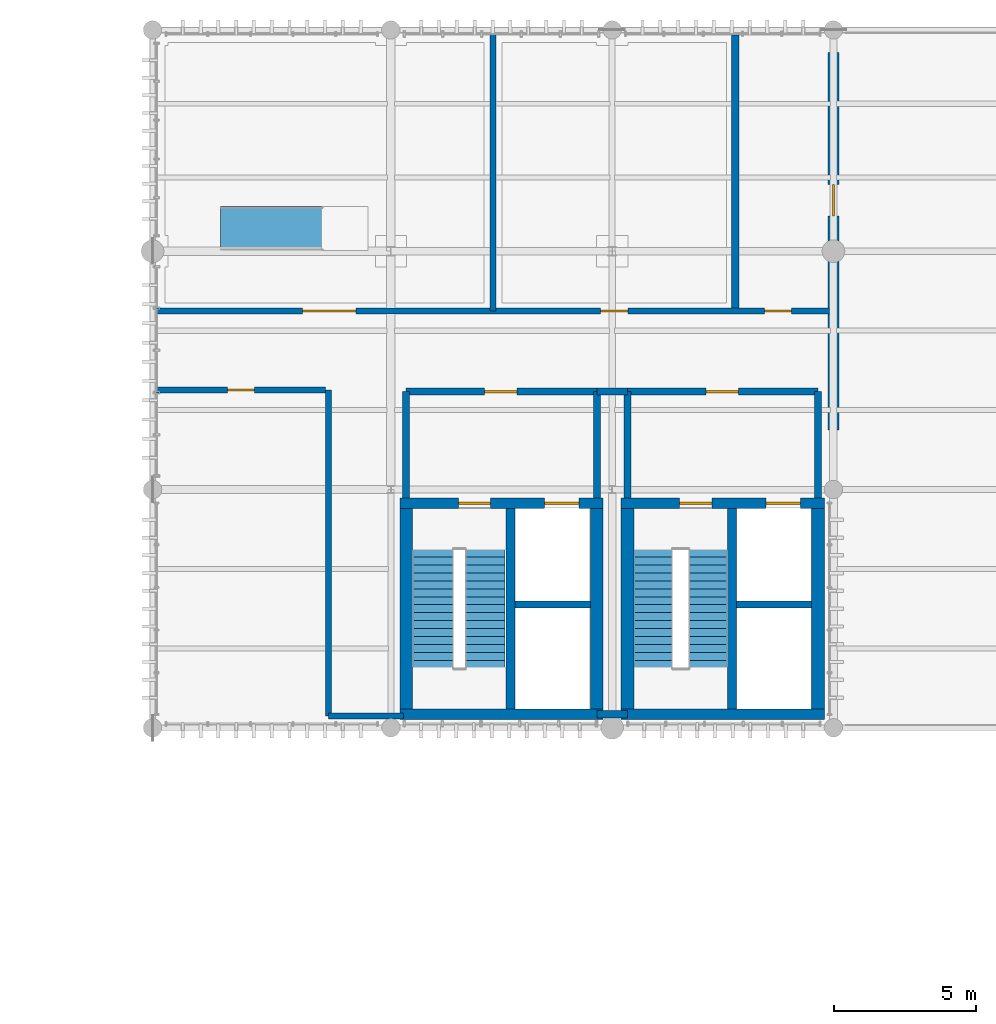
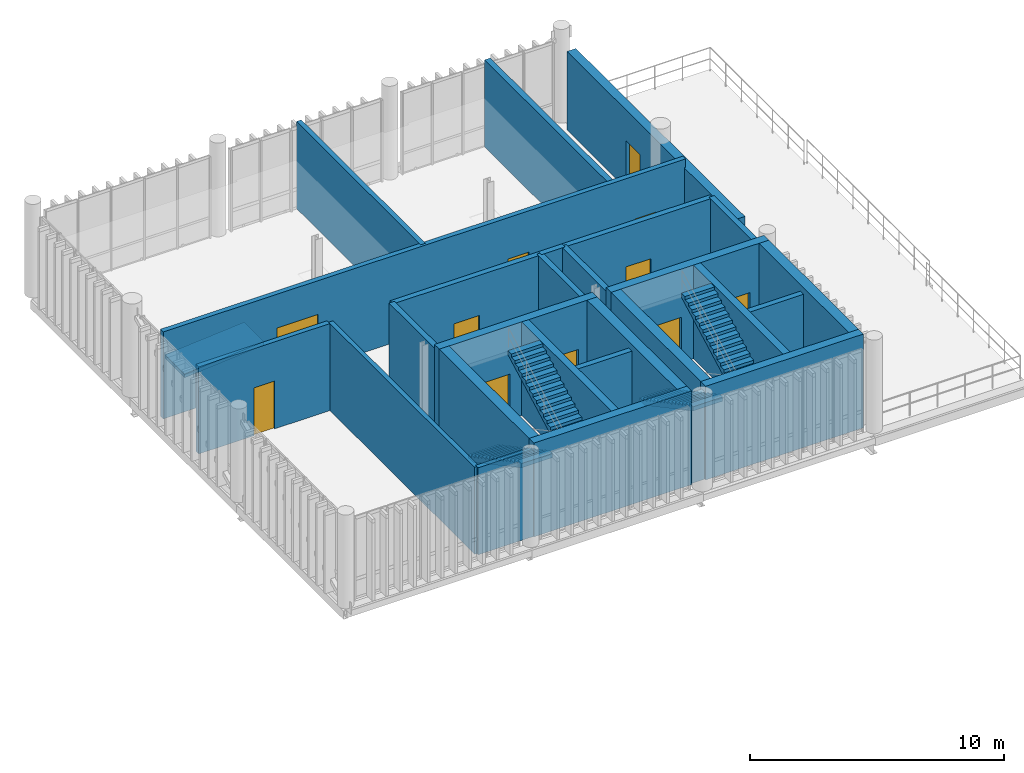
# One storey, part 15 of 19: 27 walls, 11 doors, 4 stair flights, 1 ramp flight, 11 openings, 3 elements without a shape of their own.
"""IFC4 building model written with IfcOpenShell, lengths in metres."""

from ifc_helpers import new_model, si_unit, direction, frame, frame_2d, origin_with_axes, place, context, subcontext, project, spatial, polyline, rectangle, outline, extrude, material, layer, layer_set, type_object, element, fill, aggregate, save


model = new_model("IFC4")

# Units and contexts
model_context = context("Model", 3, precision=1e-05, world=origin_with_axes(), true_north=direction((0.0, 1.0)))
body_context = subcontext(model_context, "Body", "Model", "MODEL_VIEW")
ifc_project = project(units=[si_unit("LENGTHUNIT", "METRE"), si_unit("AREAUNIT", "SQUARE_METRE"), si_unit("VOLUMEUNIT", "CUBIC_METRE"), si_unit("PLANEANGLEUNIT", "RADIAN"), si_unit("MASSUNIT", "GRAM", prefix="KILO"), si_unit("THERMODYNAMICTEMPERATUREUNIT", "KELVIN")], contexts=[model_context])

# Site, building, storey
site_placement = place(None, origin_with_axes())
site = spatial("IfcSite", under=ifc_project, at=site_placement, CompositionType="ELEMENT")
building_placement = place(site_placement, origin_with_axes())
building = spatial("IfcBuilding", under=site, at=building_placement, Name="Montbau Bow Law Courts", CompositionType="ELEMENT")
storey_placement = place(building_placement, frame((0.0, 0.0, 43.5), z_axis=(0.0, 0.0, 1.0), x_axis=(1.0, 0.0, 0.0)))
storey = spatial("IfcBuildingStorey", under=building, at=storey_placement, Name="L09", CompositionType="ELEMENT", Elevation=43.5)

# Walls
ifc_material_1 = material(Name="Concrete CSA A23.1 f'c 45 MPa", Category="concrete")
ifc_layer_1 = layer(ifc_material_1, 0.45, Name="Shear Wall", Category="concrete")
ifc_layer_set_1 = layer_set([ifc_layer_1], Name="Concrete CSA A23.1 f'c 45 MPa")
wall_type_1 = type_object("IfcWallType", Name="W-COR-02", PredefinedType="SHEAR", material=ifc_layer_set_1)
for number, where, z_axis, x_axis, name in (
    (1, (154.26, 87.07, 43.5), (0.0, 0.0, 1.0), (0.0, 1.0, 0.0), "WC-L09-0365:wal_0432"),
    (2, (147.54, 94.13, 43.5), (0.0, 0.0, 1.0), (0.0, -1.0, 0.0), "WC-L09-0366:wal_0433"),
    (3, (162.06, 87.07, 43.5), (0.0, 0.0, 1.0), (0.0, 1.0, 0.0), "WC-L09-0468:wal_0535"),
    (4, (155.34, 94.13, 43.5), (0.0, 0.0, 1.0), (0.0, -1.0, 0.0), "WC-L09-0469:wal_0536"),
):
    element("IfcWall", number, at=place(None, frame(where, z_axis=z_axis, x_axis=x_axis)), inside=storey, type_object=wall_type_1, Name=name, PredefinedType="SHEAR", context=body_context, shape_type="SweptSolid", body=[
        extrude(rectangle(XDim=7.060000000000002, YDim=0.45, at=frame_2d((3.53, 0.0), x_axis=(1.0, 0.0))), origin_with_axes(), (0.0, 0.0, 1.0), 4.5),
    ])
ifc_layer_2 = layer(ifc_material_1, 0.38, Name="Shear Wall", Category="concrete")
ifc_layer_set_2 = layer_set([ifc_layer_2], Name="Concrete CSA A23.1 f'c 45 MPa")
wall_type_2 = type_object("IfcWallType", Name="W-COR-04", PredefinedType="SHEAR", material=ifc_layer_set_2)
wall_1_placement = place(None, frame((147.315, 86.88, 43.5), z_axis=(0.0, 0.0, 1.0), x_axis=(1.0, 0.0, 0.0)))
element("IfcWall", 5, at=wall_1_placement, inside=storey, type_object=wall_type_2, Name="WC-L09-0363:wal_0430", PredefinedType="SHEAR", context=body_context, shape_type="SweptSolid", body=[
    extrude(rectangle(XDim=7.170000000000016, YDim=0.38, at=frame_2d((3.585, 0.0), x_axis=(1.0, 0.0))), origin_with_axes(), (0.0, 0.0, 1.0), 4.5),
])

# Wall, openings, doors
wall_2_placement = place(None, frame((154.485, 94.32, 43.5), z_axis=(0.0, 0.0, 1.0), x_axis=(-1.0, 0.0, 0.0)))
wall_2 = element("IfcWall", 6, at=wall_2_placement, inside=storey, type_object=wall_type_2, Name="WC-L09-0364:wal_0431", PredefinedType="SHEAR", context=body_context, shape_type="SweptSolid", body=[
    extrude(rectangle(XDim=7.170000000000016, YDim=0.38, at=frame_2d((3.585, 0.0), x_axis=(1.0, 0.0))), origin_with_axes(), (0.0, 0.0, 1.0), 4.5),
])
opening_1_placement = place(None, frame((149.95, 94.32, 43.5), z_axis=(0.0, 0.0, 1.0), x_axis=(-1.0, 0.0, 0.0)))
opening_1 = element("IfcOpeningElement", 7, at=opening_1_placement, cuts=wall_2, Name="OP-D-L09-ST-P2", PredefinedType="OPENING", context=body_context, shape_type="SweptSolid", body=[
    extrude(rectangle(XDim=1.14, YDim=2.18, at=frame_2d((0.0, 1.09), x_axis=(1.0, 0.0))), frame((0.0, 0.2, 0.0), z_axis=(0.0, -1.0, 0.0), x_axis=(1.0, 0.0, 0.0)), (0.0, 0.0, 1.0), 0.4),
])
opening_2_placement = place(None, frame((153.025, 94.32, 43.5), z_axis=(0.0, 0.0, 1.0), x_axis=(-1.0, 0.0, 0.0)))
opening_2 = element("IfcOpeningElement", 8, at=opening_2_placement, cuts=wall_2, Name="OP-LD-L09-EL-FF1", PredefinedType="OPENING", context=body_context, shape_type="SweptSolid", body=[
    extrude(rectangle(XDim=1.22, YDim=2.28, at=frame_2d((0.0, 1.14), x_axis=(1.0, 0.0))), frame((0.0, 0.2, 0.0), z_axis=(0.0, -1.0, 0.0), x_axis=(1.0, 0.0, 0.0)), (0.0, 0.0, 1.0), 0.4),
])
ifc_material_2 = material(Name="1.5 h Fire-Rated Hollow-Metal Exit Stair Door", Category="steel")
door_type_1 = type_object("IfcDoorType", Name="D-ST-01", OperationType="NOTDEFINED", ParameterTakesPrecedence=False, PredefinedType="DOOR", material=ifc_material_2)
door_1_placement = place(None, frame((149.95, 94.32, 43.5), z_axis=(0.0, 0.0, 1.0), x_axis=(1.0, 0.0, 0.0)))
door_1 = element("IfcDoor", 9, at=door_1_placement, inside=storey, type_object=door_type_1, Name="D-L09-ST-P2:dor_0174", OperationType="SINGLE_SWING_LEFT", OverallHeight=2.18, OverallWidth=1.14, PredefinedType="DOOR", context=body_context, shape_type="SweptSolid", body=[
    extrude(rectangle(XDim=1.14, YDim=2.18, at=frame_2d((0.0, 1.09), x_axis=(1.0, 0.0))), frame((0.0, 0.04, 0.0), z_axis=(0.0, -1.0, 0.0), x_axis=(1.0, 0.0, 0.0)), (0.0, 0.0, 1.0), 0.08),
])
fill(opening_1, door_1)
ifc_material_3 = material(Name="CSA B44 Firefighters Elevator Landing Door", Category="steel")
door_type_2 = type_object("IfcDoorType", Name="LD-FFE-01", OperationType="NOTDEFINED", ParameterTakesPrecedence=False, PredefinedType="DOOR", material=ifc_material_3)
door_2_placement = place(None, frame((153.025, 94.32, 43.5), z_axis=(0.0, 0.0, 1.0), x_axis=(1.0, 0.0, 0.0)))
door_2 = element("IfcDoor", 10, at=door_2_placement, inside=storey, type_object=door_type_2, Name="LD-L09-EL-FF1:dor_0175", OperationType="SLIDING_TO_LEFT", OverallHeight=2.28, OverallWidth=1.22, PredefinedType="DOOR", context=body_context, shape_type="SweptSolid", body=[
    extrude(rectangle(XDim=1.22, YDim=2.28, at=frame_2d((0.0, 1.14), x_axis=(1.0, 0.0))), frame((0.0, 0.04, 0.0), z_axis=(0.0, -1.0, 0.0), x_axis=(1.0, 0.0, 0.0)), (0.0, 0.0, 1.0), 0.08),
])
fill(opening_2, door_2)

# Wall
wall_3_placement = place(None, frame((155.115, 86.88, 43.5), z_axis=(0.0, 0.0, 1.0), x_axis=(1.0, 0.0, 0.0)))
element("IfcWall", 11, at=wall_3_placement, inside=storey, type_object=wall_type_2, Name="WC-L09-0466:wal_0533", PredefinedType="SHEAR", context=body_context, shape_type="SweptSolid", body=[
    extrude(rectangle(XDim=7.1699999999999875, YDim=0.38, at=frame_2d((3.585, 0.0), x_axis=(1.0, 0.0))), origin_with_axes(), (0.0, 0.0, 1.0), 4.5),
])

# Wall, openings, doors
wall_4_placement = place(None, frame((162.285, 94.32, 43.5), z_axis=(0.0, 0.0, 1.0), x_axis=(-1.0, 0.0, 0.0)))
wall_4 = element("IfcWall", 12, at=wall_4_placement, inside=storey, type_object=wall_type_2, Name="WC-L09-0467:wal_0534", PredefinedType="SHEAR", context=body_context, shape_type="SweptSolid", body=[
    extrude(rectangle(XDim=7.1699999999999875, YDim=0.38, at=frame_2d((3.585, 0.0), x_axis=(1.0, 0.0))), origin_with_axes(), (0.0, 0.0, 1.0), 4.5),
])
opening_3_placement = place(None, frame((157.75, 94.32, 43.5), z_axis=(0.0, 0.0, 1.0), x_axis=(-1.0, 0.0, 0.0)))
opening_3 = element("IfcOpeningElement", 13, at=opening_3_placement, cuts=wall_4, Name="OP-D-L09-ST-J2", PredefinedType="OPENING", context=body_context, shape_type="SweptSolid", body=[
    extrude(rectangle(XDim=1.14, YDim=2.18, at=frame_2d((0.0, 1.09), x_axis=(1.0, 0.0))), frame((0.0, 0.2, 0.0), z_axis=(0.0, -1.0, 0.0), x_axis=(1.0, 0.0, 0.0)), (0.0, 0.0, 1.0), 0.4),
])
opening_4_placement = place(None, frame((160.825, 94.32, 43.5), z_axis=(0.0, 0.0, 1.0), x_axis=(-1.0, 0.0, 0.0)))
opening_4 = element("IfcOpeningElement", 14, at=opening_4_placement, cuts=wall_4, Name="OP-LD-L09-EL-FF2", PredefinedType="OPENING", context=body_context, shape_type="SweptSolid", body=[
    extrude(rectangle(XDim=1.22, YDim=2.28, at=frame_2d((0.0, 1.14), x_axis=(1.0, 0.0))), frame((0.0, 0.2, 0.0), z_axis=(0.0, -1.0, 0.0), x_axis=(1.0, 0.0, 0.0)), (0.0, 0.0, 1.0), 0.4),
])
door_3_placement = place(None, frame((157.75, 94.32, 43.5), z_axis=(0.0, 0.0, 1.0), x_axis=(1.0, 0.0, 0.0)))
door_3 = element("IfcDoor", 15, at=door_3_placement, inside=storey, type_object=door_type_1, Name="D-L09-ST-J2:dor_0212", OperationType="SINGLE_SWING_RIGHT", OverallHeight=2.18, OverallWidth=1.14, PredefinedType="DOOR", context=body_context, shape_type="SweptSolid", body=[
    extrude(rectangle(XDim=1.14, YDim=2.18, at=frame_2d((0.0, 1.09), x_axis=(1.0, 0.0))), frame((0.0, 0.04, 0.0), z_axis=(0.0, -1.0, 0.0), x_axis=(1.0, 0.0, 0.0)), (0.0, 0.0, 1.0), 0.08),
])
fill(opening_3, door_3)
door_4_placement = place(None, frame((160.825, 94.32, 43.5), z_axis=(0.0, 0.0, 1.0), x_axis=(1.0, 0.0, 0.0)))
door_4 = element("IfcDoor", 16, at=door_4_placement, inside=storey, type_object=door_type_2, Name="LD-L09-EL-FF2:dor_0213", OperationType="SLIDING_TO_LEFT", OverallHeight=2.28, OverallWidth=1.22, PredefinedType="DOOR", context=body_context, shape_type="SweptSolid", body=[
    extrude(rectangle(XDim=1.22, YDim=2.28, at=frame_2d((0.0, 1.14), x_axis=(1.0, 0.0))), frame((0.0, 0.04, 0.0), z_axis=(0.0, -1.0, 0.0), x_axis=(1.0, 0.0, 0.0)), (0.0, 0.0, 1.0), 0.08),
])
fill(opening_4, door_4)

# Walls
ifc_layer_3 = layer(ifc_material_1, 0.32, Name="Shear Wall", Category="concrete")
ifc_layer_set_3 = layer_set([ifc_layer_3], Name="Concrete CSA A23.1 f'c 45 MPa")
wall_type_3 = type_object("IfcWallType", Name="W-COR-05", PredefinedType="SHEAR", material=ifc_layer_set_3)
for number, where, z_axis, x_axis, name in (
    (17, (151.22, 87.07, 43.5), (0.0, 0.0, 1.0), (0.0, 1.0, 0.0), "WS-L09-0367:wal_0434"),
    (18, (159.02, 87.07, 43.5), (0.0, 0.0, 1.0), (0.0, 1.0, 0.0), "WS-L09-0470:wal_0537"),
):
    element("IfcWall", number, at=place(None, frame(where, z_axis=z_axis, x_axis=x_axis)), inside=storey, type_object=wall_type_3, Name=name, PredefinedType="SHEAR", context=body_context, shape_type="SweptSolid", body=[
        extrude(rectangle(XDim=7.060000000000002, YDim=0.32, at=frame_2d((3.53, 0.0), x_axis=(1.0, 0.0))), origin_with_axes(), (0.0, 0.0, 1.0), 4.5),
    ])

# Wall, opening, door
ifc_material_4 = material(Name="Polychrome Glazed Ceramic Rainscreen Insulated Wall", Category="masonry")
ifc_layer_4 = layer(ifc_material_4, 0.4, Name="Solid Wall", Category="masonry")
ifc_layer_set_4 = layer_set([ifc_layer_4], Name="Polychrome Glazed Ceramic Rainscreen Insulated Wall")
wall_type_4 = type_object("IfcWallType", Name="W-EXT-04", PredefinedType="SOLIDWALL", material=ifc_layer_set_4)
wall_5_placement = place(None, frame((162.6, 96.9, 43.5), z_axis=(0.0, 0.0, 1.0), x_axis=(0.0, 1.0, 0.0)))
wall_5 = element("IfcWall", 19, at=wall_5_placement, inside=storey, type_object=wall_type_4, Name="WE-L09-039:wal_0056", PredefinedType="SOLIDWALL", context=body_context, shape_type="SweptSolid", body=[
    extrude(rectangle(XDim=13.299999999999997, YDim=0.4, at=frame_2d((6.65, 0.0), x_axis=(1.0, 0.0))), origin_with_axes(), (0.0, 0.0, 1.0), 3.774),
])
opening_5_placement = place(None, frame((162.6, 105.0, 43.5), z_axis=(0.0, 0.0, 1.0), x_axis=(0.0, 1.0, 0.0)))
opening_5 = element("IfcOpeningElement", 20, at=opening_5_placement, cuts=wall_5, Name="OP-D-TER-08", PredefinedType="OPENING", context=body_context, shape_type="SweptSolid", body=[
    extrude(rectangle(XDim=1.1, YDim=2.3, at=frame_2d((0.0, 1.15), x_axis=(1.0, 0.0))), frame((0.0, 0.21, 0.0), z_axis=(0.0, -1.0, 0.0), x_axis=(1.0, 0.0, 0.0)), (0.0, 0.0, 1.0), 0.42),
])
ifc_material_5 = material(Name="Thermally Broken Glazed Terrace Access Door", Category="aluminium")
door_type_3 = type_object("IfcDoorType", Name="D-EXT-06", OperationType="NOTDEFINED", ParameterTakesPrecedence=False, PredefinedType="DOOR", material=ifc_material_5)
door_5_placement = place(None, frame((162.6, 105.0, 43.5), z_axis=(0.0, 0.0, 1.0), x_axis=(0.0, 1.0, 0.0)))
door_5 = element("IfcDoor", 21, at=door_5_placement, inside=storey, type_object=door_type_3, Name="D-TER-08:dor_0031", OperationType="SINGLE_SWING_LEFT", OverallHeight=2.3, OverallWidth=1.1, PredefinedType="DOOR", context=body_context, shape_type="SweptSolid", body=[
    extrude(rectangle(XDim=1.1, YDim=2.3, at=frame_2d((0.0, 1.15), x_axis=(1.0, 0.0))), frame((0.0, 0.04, 0.0), z_axis=(0.0, -1.0, 0.0), x_axis=(1.0, 0.0, 0.0)), (0.0, 0.0, 1.0), 0.08),
])
fill(opening_5, door_5)

# Walls
ifc_material_6 = material(Name="Double-Stud Acoustic Plumbing Chase Gypsum Assembly", Category="gypsum")
ifc_layer_5 = layer(ifc_material_6, 0.26, Name="Plumbing Wall", Category="gypsum")
ifc_layer_set_5 = layer_set([ifc_layer_5], Name="Double-Stud Acoustic Plumbing Chase Gypsum Assembly")
wall_type_5 = type_object("IfcWallType", Name="W-PLM-01", PredefinedType="PLUMBINGWALL", material=ifc_layer_set_5)
wall_6_placement = place(None, frame((159.14, 101.19, 43.5), z_axis=(0.0, 0.0, 1.0), x_axis=(0.0, 1.0, 0.0)))
element("IfcWall", 22, at=wall_6_placement, inside=storey, type_object=wall_type_5, Name="WD-L09-0945:wal_1012", PredefinedType="PLUMBINGWALL", context=body_context, shape_type="SweptSolid", body=[
    extrude(rectangle(XDim=9.629999999999995, YDim=0.26, at=frame_2d((4.815, 0.0), x_axis=(1.0, 0.0))), origin_with_axes(), (0.0, 0.0, 1.0), 4.18),
])
ifc_material_7 = material(Name="2 h Shaft and Exit-Passage Fire Separation Partition", Category="gypsum")
ifc_layer_6 = layer(ifc_material_7, 0.25, Name="Partition", Category="gypsum")
ifc_layer_set_6 = layer_set([ifc_layer_6], Name="2 h Shaft and Exit-Passage Fire Separation Partition")
wall_type_6 = type_object("IfcWallType", Name="W-PRT-01", PredefinedType="PARTITIONING", material=ifc_layer_set_6)
wall_7_placement = place(None, frame((151.38, 90.749, 43.5), z_axis=(0.0, 0.0, 1.0), x_axis=(1.0, 0.0, 0.0)))
element("IfcWall", 23, at=wall_7_placement, inside=storey, type_object=wall_type_6, Name="WS-L09-0368:wal_0435", PredefinedType="PARTITIONING", context=body_context, shape_type="SweptSolid", body=[
    extrude(rectangle(XDim=2.655000000000001, YDim=0.25, at=frame_2d((1.3275, 0.0), x_axis=(1.0, 0.0))), origin_with_axes(), (0.0, 0.0, 1.0), 4.18),
])

# Wall, opening, door
wall_8_placement = place(None, frame((154.26, 98.25, 43.5), z_axis=(0.0, 0.0, 1.0), x_axis=(-1.0, 0.0, 0.0)))
wall_8 = element("IfcWall", 24, at=wall_8_placement, inside=storey, type_object=wall_type_6, Name="WFF-L09-0369:wal_0436", PredefinedType="PARTITIONING", context=body_context, shape_type="SweptSolid", body=[
    extrude(rectangle(XDim=6.719999999999999, YDim=0.25, at=frame_2d((3.36, 0.0), x_axis=(1.0, 0.0))), origin_with_axes(), (0.0, 0.0, 1.0), 4.18),
])
opening_6_placement = place(None, frame((150.875, 98.25, 43.5), z_axis=(0.0, 0.0, 1.0), x_axis=(-1.0, 0.0, 0.0)))
opening_6 = element("IfcOpeningElement", 25, at=opening_6_placement, cuts=wall_8, Name="OP-D-L09-FFL5", PredefinedType="OPENING", context=body_context, shape_type="SweptSolid", body=[
    extrude(rectangle(XDim=1.15, YDim=2.25, at=frame_2d((0.0, 1.125), x_axis=(1.0, 0.0))), frame((0.0, 0.135, 0.0), z_axis=(0.0, -1.0, 0.0), x_axis=(1.0, 0.0, 0.0)), (0.0, 0.0, 1.0), 0.27),
])
ifc_material_8 = material(Name="1.5 h Smoke-Sealed Firefighters Lobby Door", Category="steel")
door_type_4 = type_object("IfcDoorType", Name="D-FFL-01", OperationType="NOTDEFINED", ParameterTakesPrecedence=False, PredefinedType="DOOR", material=ifc_material_8)
door_6_placement = place(None, frame((150.875, 98.25, 43.5), z_axis=(0.0, 0.0, 1.0), x_axis=(1.0, 0.0, 0.0)))
door_6 = element("IfcDoor", 26, at=door_6_placement, inside=storey, type_object=door_type_4, Name="D-L09-FFL5:dor_0176", OperationType="SINGLE_SWING_RIGHT", OverallHeight=2.25, OverallWidth=1.15, PredefinedType="DOOR", context=body_context, shape_type="SweptSolid", body=[
    extrude(rectangle(XDim=1.15, YDim=2.25, at=frame_2d((0.0, 1.125), x_axis=(1.0, 0.0))), frame((0.0, 0.04, 0.0), z_axis=(0.0, -1.0, 0.0), x_axis=(1.0, 0.0, 0.0)), (0.0, 0.0, 1.0), 0.08),
])
fill(opening_6, door_6)

# Walls
for number, where, z_axis, x_axis, name in (
    (27, (147.54, 94.5, 43.5), (0.0, 0.0, 1.0), (0.0, 1.0, 0.0), "WFF-L09-0370:wal_0437"),
    (28, (154.26, 94.5, 43.5), (0.0, 0.0, 1.0), (0.0, 1.0, 0.0), "WFF-L09-0371:wal_0438"),
):
    element("IfcWall", number, at=place(None, frame(where, z_axis=z_axis, x_axis=x_axis)), inside=storey, type_object=wall_type_6, Name=name, PredefinedType="PARTITIONING", context=body_context, shape_type="SweptSolid", body=[
        extrude(rectangle(XDim=3.75, YDim=0.25, at=frame_2d((1.875, 0.0), x_axis=(1.0, 0.0))), origin_with_axes(), (0.0, 0.0, 1.0), 4.18),
    ])
wall_9_placement = place(None, frame((159.18, 90.749, 43.5), z_axis=(0.0, 0.0, 1.0), x_axis=(1.0, 0.0, 0.0)))
element("IfcWall", 29, at=wall_9_placement, inside=storey, type_object=wall_type_6, Name="WS-L09-0471:wal_0538", PredefinedType="PARTITIONING", context=body_context, shape_type="SweptSolid", body=[
    extrude(rectangle(XDim=2.655000000000001, YDim=0.25, at=frame_2d((1.3275, 0.0), x_axis=(1.0, 0.0))), origin_with_axes(), (0.0, 0.0, 1.0), 4.18),
])

# Wall, opening, door
wall_10_placement = place(None, frame((162.06, 98.25, 43.5), z_axis=(0.0, 0.0, 1.0), x_axis=(-1.0, 0.0, 0.0)))
wall_10 = element("IfcWall", 30, at=wall_10_placement, inside=storey, type_object=wall_type_6, Name="WFF-L09-0472:wal_0539", PredefinedType="PARTITIONING", context=body_context, shape_type="SweptSolid", body=[
    extrude(rectangle(XDim=6.719999999999999, YDim=0.25, at=frame_2d((3.36, 0.0), x_axis=(1.0, 0.0))), origin_with_axes(), (0.0, 0.0, 1.0), 4.18),
])
opening_7_placement = place(None, frame((158.675, 98.25, 43.5), z_axis=(0.0, 0.0, 1.0), x_axis=(-1.0, 0.0, 0.0)))
opening_7 = element("IfcOpeningElement", 31, at=opening_7_placement, cuts=wall_10, Name="OP-D-L09-FFL6", PredefinedType="OPENING", context=body_context, shape_type="SweptSolid", body=[
    extrude(rectangle(XDim=1.15, YDim=2.25, at=frame_2d((0.0, 1.125), x_axis=(1.0, 0.0))), frame((0.0, 0.135, 0.0), z_axis=(0.0, -1.0, 0.0), x_axis=(1.0, 0.0, 0.0)), (0.0, 0.0, 1.0), 0.27),
])
door_7_placement = place(None, frame((158.675, 98.25, 43.5), z_axis=(0.0, 0.0, 1.0), x_axis=(1.0, 0.0, 0.0)))
door_7 = element("IfcDoor", 32, at=door_7_placement, inside=storey, type_object=door_type_4, Name="D-L09-FFL6:dor_0214", OperationType="SINGLE_SWING_LEFT", OverallHeight=2.25, OverallWidth=1.15, PredefinedType="DOOR", context=body_context, shape_type="SweptSolid", body=[
    extrude(rectangle(XDim=1.15, YDim=2.25, at=frame_2d((0.0, 1.125), x_axis=(1.0, 0.0))), frame((0.0, 0.04, 0.0), z_axis=(0.0, -1.0, 0.0), x_axis=(1.0, 0.0, 0.0)), (0.0, 0.0, 1.0), 0.08),
])
fill(opening_7, door_7)

# Walls
for number, where, z_axis, x_axis, name in (
    (33, (155.34, 94.5, 43.5), (0.0, 0.0, 1.0), (0.0, 1.0, 0.0), "WFF-L09-0473:wal_0540"),
    (34, (162.06, 94.5, 43.5), (0.0, 0.0, 1.0), (0.0, 1.0, 0.0), "WFF-L09-0474:wal_0541"),
):
    element("IfcWall", number, at=place(None, frame(where, z_axis=z_axis, x_axis=x_axis)), inside=storey, type_object=wall_type_6, Name=name, PredefinedType="PARTITIONING", context=body_context, shape_type="SweptSolid", body=[
        extrude(rectangle(XDim=3.75, YDim=0.25, at=frame_2d((1.875, 0.0), x_axis=(1.0, 0.0))), origin_with_axes(), (0.0, 0.0, 1.0), 4.18),
    ])
for number, where, z_axis, x_axis, name in (
    (35, (154.26, 98.25, 43.5), (0.0, 0.0, 1.0), (1.0, 0.0, 0.0), "WFF-L09-0555:wal_0622"),
    (36, (154.26, 86.88, 43.5), (0.0, 0.0, 1.0), (1.0, 0.0, 0.0), "WFF-L09-0556:wal_0623"),
):
    element("IfcWall", number, at=place(None, frame(where, z_axis=z_axis, x_axis=x_axis)), inside=storey, type_object=wall_type_6, Name=name, PredefinedType="PARTITIONING", context=body_context, shape_type="SweptSolid", body=[
        extrude(rectangle(XDim=1.0800000000000125, YDim=0.25, at=frame_2d((0.54, 0.0), x_axis=(1.0, 0.0))), origin_with_axes(), (0.0, 0.0, 1.0), 4.18),
    ])

# Wall, openings, doors
ifc_material_9 = material(Name="STC-60 High-Acoustic Courtroom Perimeter Partition", Category="gypsum")
ifc_layer_7 = layer(ifc_material_9, 0.22, Name="Partition", Category="gypsum")
ifc_layer_set_7 = layer_set([ifc_layer_7], Name="STC-60 High-Acoustic Courtroom Perimeter Partition")
wall_type_7 = type_object("IfcWallType", Name="W-PRT-02", PredefinedType="PARTITIONING", material=ifc_layer_set_7)
wall_11_placement = place(None, frame((138.74, 101.09, 43.5), z_axis=(0.0, 0.0, 1.0), x_axis=(1.0, 0.0, 0.0)))
wall_11 = element("IfcWall", 37, at=wall_11_placement, inside=storey, type_object=wall_type_7, Name="WP-L09-0943:wal_1010", PredefinedType="PARTITIONING", context=body_context, shape_type="SweptSolid", body=[
    extrude(rectangle(XDim=23.72, YDim=0.22, at=frame_2d((11.86, 0.0), x_axis=(1.0, 0.0))), origin_with_axes(), (0.0, 0.0, 1.0), 4.18),
])
opening_8_placement = place(None, frame((144.832, 101.09, 43.5), z_axis=(0.0, 0.0, 1.0), x_axis=(1.0, 0.0, 0.0)))
opening_8 = element("IfcOpeningElement", 38, at=opening_8_placement, cuts=wall_11, Name="OP-D-L09-407", PredefinedType="OPENING", context=body_context, shape_type="SweptSolid", body=[
    extrude(rectangle(XDim=1.88, YDim=2.56, at=frame_2d((0.0, 1.28), x_axis=(1.0, 0.0))), frame((0.0, 0.12, 0.0), z_axis=(0.0, -1.0, 0.0), x_axis=(1.0, 0.0, 0.0)), (0.0, 0.0, 1.0), 0.24),
])
opening_9_placement = place(None, frame((154.87, 101.09, 43.5), z_axis=(0.0, 0.0, 1.0), x_axis=(1.0, 0.0, 0.0)))
opening_9 = element("IfcOpeningElement", 39, at=opening_9_placement, cuts=wall_11, Name="OP-D-L09-408", PredefinedType="OPENING", context=body_context, shape_type="SweptSolid", body=[
    extrude(rectangle(XDim=0.96, YDim=2.2, at=frame_2d((0.0, 1.1), x_axis=(1.0, 0.0))), frame((0.0, 0.12, 0.0), z_axis=(0.0, -1.0, 0.0), x_axis=(1.0, 0.0, 0.0)), (0.0, 0.0, 1.0), 0.24),
])
opening_10_placement = place(None, frame((160.638, 101.09, 43.5), z_axis=(0.0, 0.0, 1.0), x_axis=(1.0, 0.0, 0.0)))
opening_10 = element("IfcOpeningElement", 40, at=opening_10_placement, cuts=wall_11, Name="OP-D-L09-409", PredefinedType="OPENING", context=body_context, shape_type="SweptSolid", body=[
    extrude(rectangle(XDim=0.95, YDim=2.1, at=frame_2d((0.0, 1.05), x_axis=(1.0, 0.0))), frame((0.0, 0.12, 0.0), z_axis=(0.0, -1.0, 0.0), x_axis=(1.0, 0.0, 0.0)), (0.0, 0.0, 1.0), 0.24),
])
ifc_material_10 = material(Name="Resident Judge Chambers Solid White-Oak Door", Category="wood")
door_type_5 = type_object("IfcDoorType", Name="D-CHM-01", OperationType="NOTDEFINED", ParameterTakesPrecedence=False, PredefinedType="DOOR", material=ifc_material_10)
door_8_placement = place(None, frame((154.87, 101.09, 43.5), z_axis=(0.0, 0.0, 1.0), x_axis=(-1.0, 0.0, 0.0)))
door_8 = element("IfcDoor", 41, at=door_8_placement, inside=storey, type_object=door_type_5, Name="D-L09-408:dor_0443", OperationType="SINGLE_SWING_LEFT", OverallHeight=2.2, OverallWidth=0.96, PredefinedType="DOOR", context=body_context, shape_type="SweptSolid", body=[
    extrude(rectangle(XDim=0.96, YDim=2.2, at=frame_2d((0.0, 1.1), x_axis=(1.0, 0.0))), frame((0.0, 0.04, 0.0), z_axis=(0.0, -1.0, 0.0), x_axis=(1.0, 0.0, 0.0)), (0.0, 0.0, 1.0), 0.08),
])
fill(opening_9, door_8)
ifc_material_11 = material(Name="Acoustic White-Oak Criminal Jury Courtroom Double Door", Category="wood")
door_type_6 = type_object("IfcDoorType", Name="D-CRT-02", OperationType="NOTDEFINED", ParameterTakesPrecedence=False, PredefinedType="DOOR", material=ifc_material_11)
door_9_placement = place(None, frame((144.832, 101.09, 43.5), z_axis=(0.0, 0.0, 1.0), x_axis=(-1.0, 0.0, 0.0)))
door_9 = element("IfcDoor", 42, at=door_9_placement, inside=storey, type_object=door_type_6, Name="D-L09-407:dor_0442", OperationType="DOUBLE_DOOR_SINGLE_SWING", OverallHeight=2.56, OverallWidth=1.88, PredefinedType="DOOR", context=body_context, shape_type="SweptSolid", body=[
    extrude(rectangle(XDim=1.88, YDim=2.56, at=frame_2d((0.0, 1.28), x_axis=(1.0, 0.0))), frame((0.0, 0.04, 0.0), z_axis=(0.0, -1.0, 0.0), x_axis=(1.0, 0.0, 0.0)), (0.0, 0.0, 1.0), 0.08),
])
fill(opening_8, door_9)
ifc_material_12 = material(Name="CSA B651 Universal Barrier-Free Washroom Door", Category="wood")
door_type_7 = type_object("IfcDoorType", Name="D-WC-01", OperationType="NOTDEFINED", ParameterTakesPrecedence=False, PredefinedType="DOOR", material=ifc_material_12)
door_10_placement = place(None, frame((160.638, 101.09, 43.5), z_axis=(0.0, 0.0, 1.0), x_axis=(-1.0, 0.0, 0.0)))
door_10 = element("IfcDoor", 43, at=door_10_placement, inside=storey, type_object=door_type_7, Name="D-L09-409:dor_0444", OperationType="SINGLE_SWING_RIGHT", OverallHeight=2.1, OverallWidth=0.95, PredefinedType="DOOR", context=body_context, shape_type="SweptSolid", body=[
    extrude(rectangle(XDim=0.95, YDim=2.1, at=frame_2d((0.0, 1.05), x_axis=(1.0, 0.0))), frame((0.0, 0.04, 0.0), z_axis=(0.0, -1.0, 0.0), x_axis=(1.0, 0.0, 0.0)), (0.0, 0.0, 1.0), 0.08),
])
fill(opening_10, door_10)

# Wall, opening, door
wall_12_placement = place(None, frame((138.74, 98.31, 43.5), z_axis=(0.0, 0.0, 1.0), x_axis=(1.0, 0.0, 0.0)))
wall_12 = element("IfcWall", 44, at=wall_12_placement, inside=storey, type_object=wall_type_7, Name="WP-L09-0944:wal_1011", PredefinedType="PARTITIONING", context=body_context, shape_type="SweptSolid", body=[
    extrude(rectangle(XDim=5.9599999999999795, YDim=0.22, at=frame_2d((2.98, 0.0), x_axis=(1.0, 0.0))), origin_with_axes(), (0.0, 0.0, 1.0), 4.18),
])
opening_11_placement = place(None, frame((141.72, 98.31, 43.5), z_axis=(0.0, 0.0, 1.0), x_axis=(1.0, 0.0, 0.0)))
opening_11 = element("IfcOpeningElement", 45, at=opening_11_placement, cuts=wall_12, Name="OP-D-L09-410", PredefinedType="OPENING", context=body_context, shape_type="SweptSolid", body=[
    extrude(rectangle(XDim=0.94, YDim=2.3, at=frame_2d((0.0, 1.15), x_axis=(1.0, 0.0))), frame((0.0, 0.12, 0.0), z_axis=(0.0, -1.0, 0.0), x_axis=(1.0, 0.0, 0.0)), (0.0, 0.0, 1.0), 0.24),
])
ifc_material_13 = material(Name="Appellate Justice Suite Solid White-Oak Door", Category="wood")
door_type_8 = type_object("IfcDoorType", Name="D-CHM-02", OperationType="NOTDEFINED", ParameterTakesPrecedence=False, PredefinedType="DOOR", material=ifc_material_13)
door_11_placement = place(None, frame((141.72, 98.31, 43.5), z_axis=(0.0, 0.0, 1.0), x_axis=(1.0, 0.0, 0.0)))
door_11 = element("IfcDoor", 46, at=door_11_placement, inside=storey, type_object=door_type_8, Name="D-L09-410:dor_0445", OperationType="SINGLE_SWING_LEFT", OverallHeight=2.3, OverallWidth=0.94, PredefinedType="DOOR", context=body_context, shape_type="SweptSolid", body=[
    extrude(rectangle(XDim=0.94, YDim=2.3, at=frame_2d((0.0, 1.15), x_axis=(1.0, 0.0))), frame((0.0, 0.04, 0.0), z_axis=(0.0, -1.0, 0.0), x_axis=(1.0, 0.0, 0.0)), (0.0, 0.0, 1.0), 0.08),
])
fill(opening_11, door_11)

# Walls
wall_13_placement = place(None, frame((150.6, 101.09, 43.5), z_axis=(0.0, 0.0, 1.0), x_axis=(0.0, 1.0, 0.0)))
element("IfcWall", 47, at=wall_13_placement, inside=storey, type_object=wall_type_7, Name="WD-L09-0946:wal_1013", PredefinedType="PARTITIONING", context=body_context, shape_type="SweptSolid", body=[
    extrude(rectangle(XDim=9.769999999999996, YDim=0.22, at=frame_2d((4.885, 0.0), x_axis=(1.0, 0.0))), origin_with_axes(), (0.0, 0.0, 1.0), 4.18),
])
ifc_material_14 = material(Name="STC-55 Jury Deliberation Security Partition", Category="gypsum")
ifc_layer_8 = layer(ifc_material_14, 0.2, Name="Partition", Category="gypsum")
ifc_layer_set_8 = layer_set([ifc_layer_8], Name="STC-55 Jury Deliberation Security Partition")
wall_type_8 = type_object("IfcWallType", Name="W-PRT-03", PredefinedType="PARTITIONING", material=ifc_layer_set_8)
wall_14_placement = place(None, frame((144.8, 86.82, 43.5), z_axis=(0.0, 0.0, 1.0), x_axis=(0.0, 1.0, 0.0)))
element("IfcWall", 48, at=wall_14_placement, inside=storey, type_object=wall_type_8, Name="WCX-L09-0941:wal_1008", PredefinedType="PARTITIONING", context=body_context, shape_type="SweptSolid", body=[
    extrude(rectangle(XDim=11.490000000000009, YDim=0.2, at=frame_2d((5.745, 0.0), x_axis=(1.0, 0.0))), origin_with_axes(), (0.0, 0.0, 1.0), 4.18),
])
wall_15_placement = place(None, frame((144.8, 86.82, 43.5), z_axis=(0.0, 0.0, 1.0), x_axis=(1.0, 0.0, 0.0)))
element("IfcWall", 49, at=wall_15_placement, inside=storey, type_object=wall_type_8, Name="WCX-L09-0942:wal_1009", PredefinedType="PARTITIONING", context=body_context, shape_type="SweptSolid", body=[
    extrude(rectangle(XDim=2.6399999999999864, YDim=0.2, at=frame_2d((1.32, 0.0), x_axis=(1.0, 0.0))), origin_with_axes(), (0.0, 0.0, 1.0), 4.18),
])

# Stair, stair flights
ifc_material_15 = material(Name="Concrete CSA A23.1 f'c 40 MPa", Category="concrete")
stair_type_1 = type_object("IfcStairType", Name="ST-JUD-1500", PredefinedType="HALF_TURN_STAIR", material=ifc_material_15)
stair_1_placement = place(None, frame((156.265, 92.7, 43.5), z_axis=(0.0, 0.0, 1.0), x_axis=(1.0, 0.0, 0.0)))
stair_1 = element("IfcStair", 50, at=stair_1_placement, inside=storey, type_object=stair_type_1, Name="ST-J2-L09:str_0054", PredefinedType="HALF_TURN_STAIR")
stair_flight_type_1 = type_object("IfcStairFlightType", Name="SF-RC-1500A", PredefinedType="STRAIGHT", material=ifc_material_15)
stair_flight_1_placement = place(None, frame((156.265, 92.7, 43.5), z_axis=(0.0, 0.0, 1.0), x_axis=(0.0, -1.0, 0.0)))
stair_flight_1 = element("IfcStairFlight", 51, at=stair_flight_1_placement, type_object=stair_flight_type_1, Name="ST-J2-L09-F1:str_0054_F1", NumberOfRisers=15, NumberOfTreads=14, PredefinedType="STRAIGHT", RiserHeight=0.15, TreadLength=0.28, context=body_context, shape_type="SweptSolid", body=[
    extrude(outline(polyline([(0.0, 0.0), (0.0, 0.15), (0.28, 0.15), (0.28, 0.3), (0.56, 0.3), (0.56, 0.45), (0.84, 0.45), (0.84, 0.6), (1.12, 0.6), (1.12, 0.75), (1.4, 0.75), (1.4, 0.9), (1.68, 0.9), (1.68, 1.05), (1.96, 1.05), (1.96, 1.2), (2.24, 1.2), (2.24, 1.35), (2.52, 1.35), (2.52, 1.5), (2.8, 1.5), (2.8, 1.65), (3.08, 1.65), (3.08, 1.8), (3.36, 1.8), (3.36, 1.95), (3.64, 1.95), (3.64, 2.1), (3.92, 2.1), (3.92, 2.25), (4.2, 2.25), (4.2, 2.045798), (0.381177, 0.0), (0.0, 0.0)])), frame((0.0, 0.67, 0.0), z_axis=(0.0, -1.0, 0.0), x_axis=(1.0, 0.0, 0.0)), (0.0, 0.0, 1.0), 1.34),
])
stair_flight_2_placement = place(None, frame((158.16, 88.5, 45.75), z_axis=(0.0, 0.0, 1.0), x_axis=(0.0, 1.0, 0.0)))
stair_flight_2 = element("IfcStairFlight", 52, at=stair_flight_2_placement, type_object=stair_flight_type_1, Name="ST-J2-L09-F2:str_0054_F2", NumberOfRisers=15, NumberOfTreads=14, PredefinedType="STRAIGHT", RiserHeight=0.15, TreadLength=0.28, context=body_context, shape_type="SweptSolid", body=[
    extrude(outline(polyline([(0.0, 0.0), (0.0, 0.15), (0.28, 0.15), (0.28, 0.3), (0.56, 0.3), (0.56, 0.45), (0.84, 0.45), (0.84, 0.6), (1.12, 0.6), (1.12, 0.75), (1.4, 0.75), (1.4, 0.9), (1.68, 0.9), (1.68, 1.05), (1.96, 1.05), (1.96, 1.2), (2.24, 1.2), (2.24, 1.35), (2.52, 1.35), (2.52, 1.5), (2.8, 1.5), (2.8, 1.65), (3.08, 1.65), (3.08, 1.8), (3.36, 1.8), (3.36, 1.95), (3.64, 1.95), (3.64, 2.1), (3.92, 2.1), (3.92, 2.25), (4.2, 2.25), (4.2, 2.045798), (0.381177, 0.0), (0.0, 0.0)])), frame((0.0, 0.67, 0.0), z_axis=(0.0, -1.0, 0.0), x_axis=(1.0, 0.0, 0.0)), (0.0, 0.0, 1.0), 1.34),
])
aggregate(stair_1, [stair_flight_1, stair_flight_2])

stair_type_2 = type_object("IfcStairType", Name="ST-PUB-1800", PredefinedType="HALF_TURN_STAIR", material=ifc_material_15)
stair_2_placement = place(None, frame((148.505, 92.7, 43.5), z_axis=(0.0, 0.0, 1.0), x_axis=(1.0, 0.0, 0.0)))
stair_2 = element("IfcStair", 53, at=stair_2_placement, inside=storey, type_object=stair_type_2, Name="ST-P2-L09:str_0043", PredefinedType="HALF_TURN_STAIR")
stair_flight_type_2 = type_object("IfcStairFlightType", Name="SF-RC-1800A", PredefinedType="STRAIGHT", material=ifc_material_15)
stair_flight_3_placement = place(None, frame((148.505, 92.7, 43.5), z_axis=(0.0, 0.0, 1.0), x_axis=(0.0, -1.0, 0.0)))
stair_flight_3 = element("IfcStairFlight", 54, at=stair_flight_3_placement, type_object=stair_flight_type_2, Name="ST-P2-L09-F1:str_0043_F1", NumberOfRisers=15, NumberOfTreads=14, PredefinedType="STRAIGHT", RiserHeight=0.15, TreadLength=0.28, context=body_context, shape_type="SweptSolid", body=[
    extrude(outline(polyline([(0.0, 0.0), (0.0, 0.15), (0.28, 0.15), (0.28, 0.3), (0.56, 0.3), (0.56, 0.45), (0.84, 0.45), (0.84, 0.6), (1.12, 0.6), (1.12, 0.75), (1.4, 0.75), (1.4, 0.9), (1.68, 0.9), (1.68, 1.05), (1.96, 1.05), (1.96, 1.2), (2.24, 1.2), (2.24, 1.35), (2.52, 1.35), (2.52, 1.5), (2.8, 1.5), (2.8, 1.65), (3.08, 1.65), (3.08, 1.8), (3.36, 1.8), (3.36, 1.95), (3.64, 1.95), (3.64, 2.1), (3.92, 2.1), (3.92, 2.25), (4.2, 2.25), (4.2, 2.045798), (0.381177, 0.0), (0.0, 0.0)])), frame((0.0, 0.71, 0.0), z_axis=(0.0, -1.0, 0.0), x_axis=(1.0, 0.0, 0.0)), (0.0, 0.0, 1.0), 1.42),
])
stair_flight_4_placement = place(None, frame((150.32, 88.5, 45.75), z_axis=(0.0, 0.0, 1.0), x_axis=(0.0, 1.0, 0.0)))
stair_flight_4 = element("IfcStairFlight", 55, at=stair_flight_4_placement, type_object=stair_flight_type_2, Name="ST-P2-L09-F2:str_0043_F2", NumberOfRisers=15, NumberOfTreads=14, PredefinedType="STRAIGHT", RiserHeight=0.15, TreadLength=0.28, context=body_context, shape_type="SweptSolid", body=[
    extrude(outline(polyline([(0.0, 0.0), (0.0, 0.15), (0.28, 0.15), (0.28, 0.3), (0.56, 0.3), (0.56, 0.45), (0.84, 0.45), (0.84, 0.6), (1.12, 0.6), (1.12, 0.75), (1.4, 0.75), (1.4, 0.9), (1.68, 0.9), (1.68, 1.05), (1.96, 1.05), (1.96, 1.2), (2.24, 1.2), (2.24, 1.35), (2.52, 1.35), (2.52, 1.5), (2.8, 1.5), (2.8, 1.65), (3.08, 1.65), (3.08, 1.8), (3.36, 1.8), (3.36, 1.95), (3.64, 1.95), (3.64, 2.1), (3.92, 2.1), (3.92, 2.25), (4.2, 2.25), (4.2, 2.045798), (0.381177, 0.0), (0.0, 0.0)])), frame((0.0, 0.71, 0.0), z_axis=(0.0, -1.0, 0.0), x_axis=(1.0, 0.0, 0.0)), (0.0, 0.0, 1.0), 1.42),
])
aggregate(stair_2, [stair_flight_3, stair_flight_4])

# Ramp, ramp flight
ramp_type = type_object("IfcRampType", Name="RMP-PED-01", PredefinedType="STRAIGHT_RUN_RAMP", material=ifc_material_15)
ramp_placement = place(None, frame((141.0, 104.0, 43.5), z_axis=(0.0, 0.0, 1.0), x_axis=(1.0, 0.0, 0.0)))
ramp = element("IfcRamp", 56, at=ramp_placement, inside=storey, type_object=ramp_type, Name="Appellate Chamber Dais Barrier-Free Ramp R-BF5", PredefinedType="STRAIGHT_RUN_RAMP")
ramp_flight_type = type_object("IfcRampFlightType", Name="RMF-PED-01", PredefinedType="STRAIGHT", material=ifc_material_15)
ramp_flight_placement = place(None, frame((141.0, 104.0, 43.5), z_axis=(0.0, 0.0, 1.0), x_axis=(1.0, 0.0, 0.0)))
ramp_flight = element("IfcRampFlight", 57, at=ramp_flight_placement, type_object=ramp_flight_type, Name="Appellate Chamber Dais Barrier-Free Ramp R-BF5 flight", PredefinedType="STRAIGHT", context=body_context, shape_type="SweptSolid", body=[
    extrude(outline(polyline([(0.0, 0.0), (3.6, 0.3), (3.6, 0.12), (0.0, -0.18), (0.0, 0.0)])), frame((0.0, 0.775, 0.0), z_axis=(0.0, -1.0, 0.0), x_axis=(1.0, 0.0, 0.0)), (0.0, 0.0, 1.0), 1.55),
])
aggregate(ramp, [ramp_flight])

save(model, "model.ifc")
